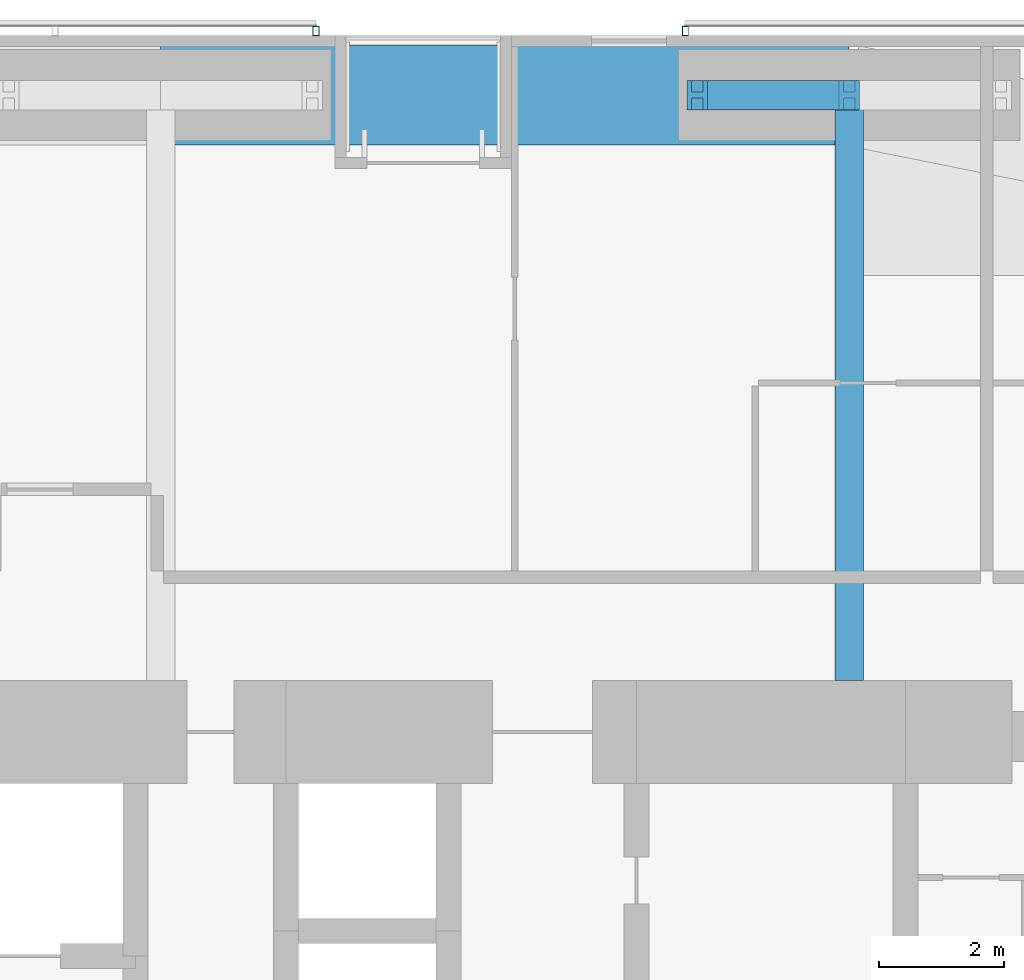
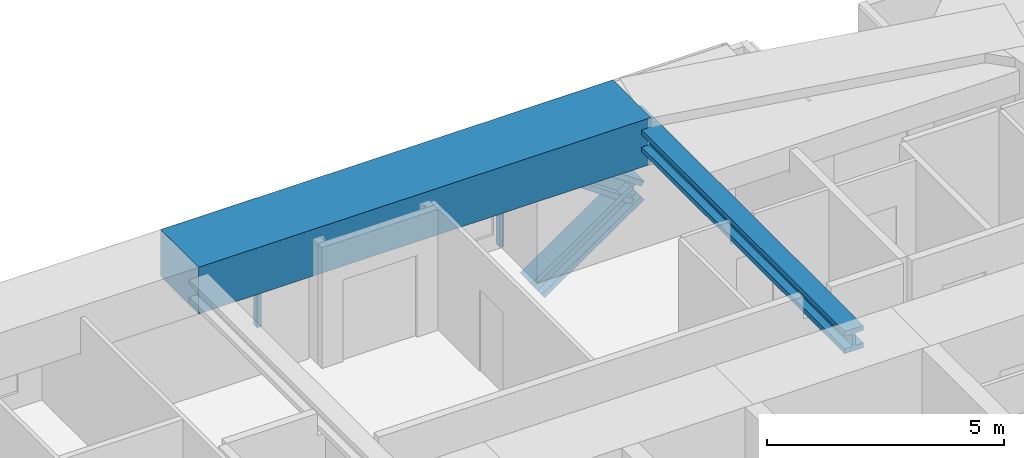
# One storey, part 13 of 23: 4 members, 2 beams, 2 elements without a shape of their own.
"""IFC4 building model written with IfcOpenShell, lengths in metres."""

from ifc_helpers import new_model, si_unit, direction, frame, origin, origin_2d, place, context, subcontext, project, spatial, rectangle, hollow_rectangle, i_section, extrude, material, material_profile, profile_set, type_object, element, aggregate, save


model = new_model("IFC4")

# Units and contexts
model_context = context("Model", 3, precision=1e-05, world=origin(), true_north=direction((0.0, 1.0)))
body_context = subcontext(model_context, "Body", "Model", "MODEL_VIEW")
ifc_project = project(units=[si_unit("LENGTHUNIT", "METRE"), si_unit("AREAUNIT", "SQUARE_METRE"), si_unit("VOLUMEUNIT", "CUBIC_METRE"), si_unit("PLANEANGLEUNIT", "RADIAN"), si_unit("MASSUNIT", "GRAM", prefix="KILO")], contexts=[model_context])

# Site, building, storey
site_placement = place(None, origin())
site = spatial("IfcSite", under=ifc_project, at=site_placement, CompositionType="ELEMENT")
building_placement = place(site_placement, origin())
building = spatial("IfcBuilding", under=site, at=building_placement, Name="Jalousie Tower", CompositionType="ELEMENT")
storey_placement = place(building_placement, frame((0.0, 0.0, 24.35009765625)))
storey = spatial("IfcBuildingStorey", under=building, at=storey_placement, Name="L05", CompositionType="ELEMENT", Elevation=24.35009765625)

# Beam
ifc_material_1 = material(Name="Steel ASTM A992 Grade 50", Category="steel")
ifc_material_profile_1 = material_profile(ifc_material_1, i_section(OverallWidth=0.45458984375, OverallDepth=0.569091796875, WebThickness=0.077880859375, FlangeThickness=0.124755859375, at=origin_2d()), Name="W14X730")
ifc_profile_set_1 = profile_set([ifc_material_profile_1], Name="Steel ASTM A992 Grade 50")
beam_type_1 = type_object("IfcBeamType", Name="LEAN COLLECTOR W14X730", PredefinedType="BEAM", material=ifc_profile_set_1)
beam_1_placement = place(storey_placement, frame((35.0, 37.050048828125, 2.825439453125), z_axis=(0.0, -1.0, 0.0), x_axis=(1.0, 0.0, 0.0)))
element("IfcBeam", 1, at=beam_1_placement, inside=storey, type_object=beam_type_1, Name="Lean collector under L06", PredefinedType="BEAM", context=body_context, shape_type="SweptSolid", body=[
    extrude(i_section(OverallWidth=0.45458984375, OverallDepth=0.569091796875, WebThickness=0.077880859375, FlangeThickness=0.124755859375, at=origin_2d()), origin(), (0.0, 0.0, 1.0), 9.35009765625),
])

# Members
ifc_material_2 = material(Name="Steel ASTM A992 Grade 50", Category="steel")
ifc_material_profile_2 = material_profile(ifc_material_2, i_section(OverallWidth=0.472412109375, OverallDepth=0.5791015625, WebThickness=0.094970703125, FlangeThickness=0.1298828125, at=origin_2d()), Name="W14X808")
ifc_profile_set_2 = profile_set([ifc_material_profile_2], Name="Steel ASTM A992 Grade 50")
member_type_1 = type_object("IfcMemberType", Name="PERIMETER BRACE W14X808", PredefinedType="BRACE", material=ifc_profile_set_2)
for number, where, z_axis, x_axis, name in (
    (2, (32.574951171875, 37.050048828125, -0.60009765625), (0.822800062329, 0.0, 0.568330940062), (0.0, 1.0, 0.0), "Perimeter brace 09 L05 part 1"),
    (3, (35.0, 37.050048828125, 1.074951171875), (-0.822800062329, 0.0, 0.568330940062), (0.0, -1.0, 0.0), "Perimeter brace 09 L05 part 4"),
):
    element("IfcMember", number, at=place(storey_placement, frame(where, z_axis=z_axis, x_axis=x_axis)), inside=storey, type_object=member_type_1, Name=name, PredefinedType="BRACE", context=body_context, shape_type="SweptSolid", body=[
        extrude(i_section(OverallWidth=0.472412109375, OverallDepth=0.5791015625, WebThickness=0.094970703125, FlangeThickness=0.1298828125, at=origin_2d()), origin(), (0.0, 0.0, 1.0), 2.947265625),
    ])

# Beam
ifc_material_3 = material(Name="Concrete f'c 40 MPa", Category="concrete")
ifc_material_profile_3 = material_profile(ifc_material_3, rectangle(XDim=1.60009765625, YDim=1.199951171875, at=origin_2d()), Name="RC 1600x1200")
ifc_profile_set_3 = profile_set([ifc_material_profile_3], Name="Concrete f'c 40 MPa")
beam_type_2 = type_object("IfcBeamType", Name="RC BEAM 1600x1200", PredefinedType="BEAM", material=ifc_profile_set_3)
beam_2_placement = place(storey_placement, frame((35.0, 37.050048828125, 2.75), z_axis=(-1.0, 0.0, 0.0), x_axis=(0.0, -1.0, 0.0)))
element("IfcBeam", 4, at=beam_2_placement, inside=storey, type_object=beam_type_2, Name="Edge band beam 09-10 under L06", PredefinedType="BEAM", context=body_context, shape_type="SweptSolid", body=[
    extrude(rectangle(XDim=1.60009765625, YDim=1.199951171875, at=origin_2d()), origin(), (0.0, 0.0, 1.0), 11.0),
])

# Curtain wall, member
ifc_material_4 = material(Name="Perforated aluminium sheet", Category="aluminium")
curtain_wall_type = type_object("IfcCurtainWallType", Name="SOLAR SCREEN SS-1", PredefinedType="USERDEFINED", material=ifc_material_4)
curtain_wall_1_placement = place(storey_placement, origin())
curtain_wall_1 = element("IfcCurtainWall", 5, at=curtain_wall_1_placement, inside=storey, type_object=curtain_wall_type, Name="Solar screen L05", ObjectType="SOLAR SCREEN SS-1", PredefinedType="USERDEFINED")
ifc_material_5 = material(Name="Steel ASTM A500 Grade C", Category="steel")
ifc_material_profile_4 = material_profile(ifc_material_5, hollow_rectangle(XDim=0.1015625, YDim=0.15234375, WallThickness=0.00634765625, at=origin_2d()), Name="HSS6X4X1/4")
ifc_profile_set_4 = profile_set([ifc_material_profile_4], Name="Steel ASTM A500 Grade C")
member_type_2 = type_object("IfcMemberType", Name="SOLAR SCREEN SS-1 MULLION", PredefinedType="MULLION", material=ifc_profile_set_4)
member_1_placement = place(storey_placement, frame((32.3818359375, 38.0712890625, -0.1201171875), z_axis=(0.0, 0.0, 1.0), x_axis=(-1.0, 0.0, 0.0)))
member_1 = element("IfcMember", 6, at=member_1_placement, type_object=member_type_2, Name="SS1 post 2", PredefinedType="MULLION", context=body_context, shape_type="SweptSolid", body=[
    extrude(hollow_rectangle(XDim=0.1015625, YDim=0.15234375, WallThickness=0.00634765625, at=origin_2d()), origin(), (0.0, 0.0, 1.0), 3.22998046875),
])
aggregate(curtain_wall_1, [member_1])

curtain_wall_2_placement = place(storey_placement, origin())
curtain_wall_2 = element("IfcCurtainWall", 7, at=curtain_wall_2_placement, inside=storey, type_object=curtain_wall_type, Name="Solar screen L05", ObjectType="SOLAR SCREEN SS-1", PredefinedType="USERDEFINED")
member_2_placement = place(storey_placement, frame((26.483154296875, 38.0712890625, -0.1201171875), z_axis=(0.0, 0.0, 1.0), x_axis=(-1.0, 0.0, 0.0)))
member_2 = element("IfcMember", 8, at=member_2_placement, type_object=member_type_2, Name="SS1 post 1", PredefinedType="MULLION", context=body_context, shape_type="SweptSolid", body=[
    extrude(hollow_rectangle(XDim=0.1015625, YDim=0.15234375, WallThickness=0.00634765625, at=origin_2d()), origin(), (0.0, 0.0, 1.0), 3.22998046875),
])
aggregate(curtain_wall_2, [member_2])

save(model, "model.ifc")
